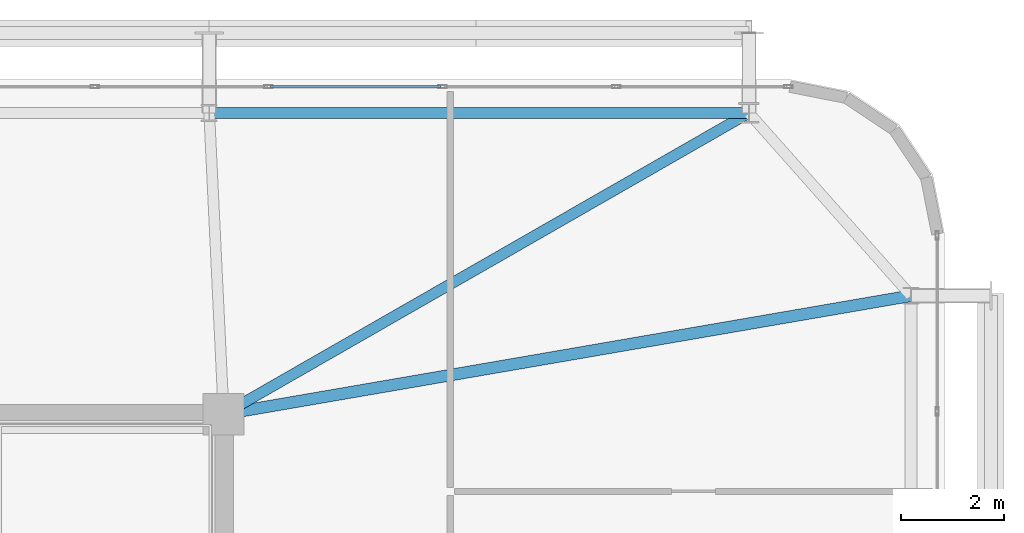
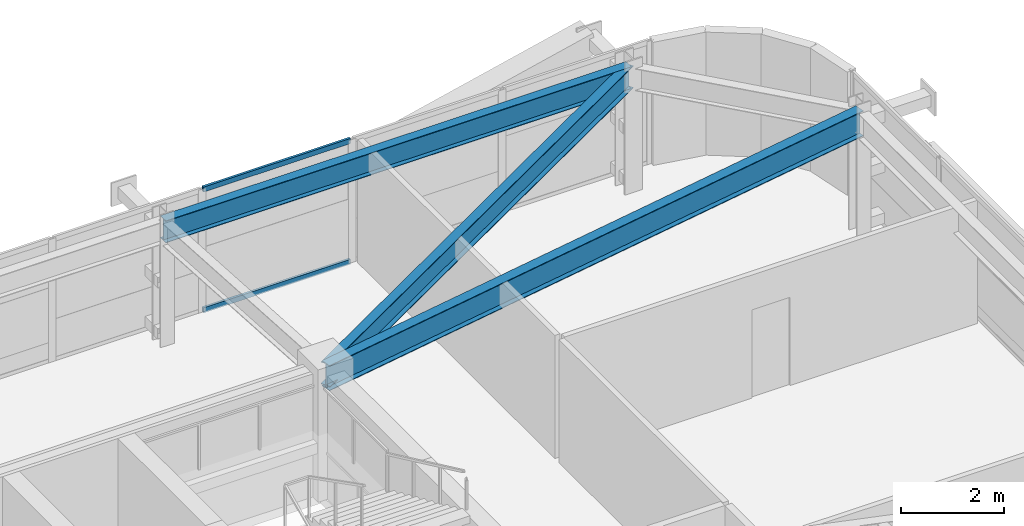
# One storey, part 39 of 58: 3 beams, 2 members, 1 element without a shape of its own.
"""IFC4 building model written with IfcOpenShell, lengths in metres."""

import ifcopenshell
import ifcopenshell.guid

model = None  # the IFC model being written
_history = None  # IfcOwnerHistory: only IFC2X3 demands one
_inside = {}  # id of a spatial element -> (the spatial element, [elements in it])
_under = {}  # id of a project, library or spatial element -> (it, [spatial elements below it])
_declared = {}  # id of a project -> (the project, [libraries it declares])
_typed = {}  # id of a type object -> (the type object, [elements of that type])
_made_of = {}  # id of a material, layer set ... -> (it, [elements and type objects made of it])


def new_model(schema):
    """Start an empty IFC model of exactly this schema.

    Asked for "IFC4X3", IfcOpenShell would pick the latest addendum, in which some entities
    have other attributes; the version numbers below select the first issue.
    IFC2X3 requires an IfcOwnerHistory on every rooted entity: one is made here for all.
    """
    global model, _history
    if schema == "IFC4X3":
        model = ifcopenshell.file(schema_version=(4, 3, 0, 0))
    else:
        model = ifcopenshell.file(schema=schema)
    _inside.clear()
    _under.clear()
    _declared.clear()
    _typed.clear()
    _made_of.clear()
    _history = None
    if model.schema == "IFC2X3":
        org = make("IfcOrganization", Name="unknown")
        user = make(
            "IfcPersonAndOrganization",
            ThePerson=make("IfcPerson", FamilyName="unknown"),
            TheOrganization=org,
        )
        app = make(
            "IfcApplication",
            ApplicationDeveloper=org,
            Version="unknown",
            ApplicationFullName="unknown",
            ApplicationIdentifier="unknown",
        )
        _history = make(
            "IfcOwnerHistory",
            OwningUser=user,
            OwningApplication=app,
            ChangeAction="ADDED",
            CreationDate=0,
        )
    return model


def make(cls, **values):
    """One entity of the class cls with the attributes given. An attribute that is None is left unset."""
    return model.create_entity(
        cls, **{name: value for name, value in values.items() if value is not None}
    )


def rooted(cls, **values):
    """An entity with a GlobalId (a new one), such as an element, a storey or a relation."""
    return make(cls, GlobalId=ifcopenshell.guid.new(), OwnerHistory=_history, **values)


def si_unit(unit_type, name, prefix=None):
    """IfcSIUnit, for example si_unit("LENGTHUNIT", "METRE", prefix="MILLI")."""
    return make("IfcSIUnit", UnitType=unit_type, Prefix=prefix, Name=name)


def assignment(units):
    """IfcUnitAssignment: the units of a project."""
    return None if units is None else make("IfcUnitAssignment", Units=units)


def point(xyz):
    """IfcCartesianPoint."""
    return None if xyz is None else make("IfcCartesianPoint", Coordinates=xyz)


def direction(xyz):
    """IfcDirection."""
    return None if xyz is None else make("IfcDirection", DirectionRatios=xyz)


def frame(location, z_axis=None, x_axis=None):
    """IfcAxis2Placement3D, a coordinate frame: its origin and axes. An axis left out is left unset."""
    return make(
        "IfcAxis2Placement3D",
        Location=point(location),
        Axis=direction(z_axis),
        RefDirection=direction(x_axis),
    )


def frame_2d(location, x_axis=None):
    """IfcAxis2Placement2D, a coordinate frame in the plane: its origin and x axis."""
    return make(
        "IfcAxis2Placement2D", Location=point(location), RefDirection=direction(x_axis)
    )


def origin():
    """The frame at (0, 0, 0) with its axes left unset."""
    return frame((0.0, 0.0, 0.0))


def origin_2d():
    """The frame at (0, 0) in the plane with its x axis left unset."""
    return frame_2d((0.0, 0.0))


def place(relative_to, where):
    """IfcLocalPlacement: puts the frame where relative to a parent placement (None: the world)."""
    return make(
        "IfcLocalPlacement", PlacementRelTo=relative_to, RelativePlacement=where
    )


def context(
    kind, dimensions, precision=None, world=None, true_north=None, identifier=None
):
    """IfcGeometricRepresentationContext, for example the 3D "Model" context."""
    return make(
        "IfcGeometricRepresentationContext",
        ContextIdentifier=identifier,
        ContextType=kind,
        CoordinateSpaceDimension=dimensions,
        Precision=precision,
        WorldCoordinateSystem=world,
        TrueNorth=true_north,
    )


def subcontext(parent, identifier, kind, view, scale=None):
    """IfcGeometricRepresentationSubContext, for example "Body" below "Model"."""
    return make(
        "IfcGeometricRepresentationSubContext",
        ContextIdentifier=identifier,
        ContextType=kind,
        ParentContext=parent,
        TargetScale=scale,
        TargetView=view,
    )


def project(units=None, contexts=None):
    """IfcProject with its units and contexts."""
    return rooted(
        "IfcProject",
        Name="project",
        RepresentationContexts=contexts,
        UnitsInContext=assignment(units),
    )


def spatial(cls, under=None, at=None, **own):
    """A site, building, storey or space (cls), placed at a placement, below another one or the project."""
    s = rooted(cls, ObjectPlacement=at, **own)
    if under is not None:
        _under.setdefault(under.id(), (under, []))[1].append(s)
    return s


def profile(cls, at=None, kind="AREA", **sizes):
    """A parametric profile (cls). Its sizes go by their IFC names, for example OverallWidth=200.0."""
    return make(cls, ProfileType=kind, Position=at, **sizes)


def hollow_rectangle(**sizes):
    """IfcRectangleHollowProfileDef."""
    return profile("IfcRectangleHollowProfileDef", **sizes)


def i_section(**sizes):
    """IfcIShapeProfileDef."""
    return profile("IfcIShapeProfileDef", **sizes)


def extrude(swept, where, along, depth):
    """IfcExtrudedAreaSolid: the profile swept, set in the frame where, extruded along a direction by depth."""
    return make(
        "IfcExtrudedAreaSolid",
        SweptArea=swept,
        Position=where,
        ExtrudedDirection=direction(along),
        Depth=depth,
    )


def shape(context_of_items, identifier, shape_type, items):
    """IfcShapeRepresentation: the items that make up one representation, for example the "Body"."""
    return make(
        "IfcShapeRepresentation",
        ContextOfItems=context_of_items,
        RepresentationIdentifier=identifier,
        RepresentationType=shape_type,
        Items=items,
    )


def source(mapping_origin, context_of_items, identifier, shape_type, items):
    """IfcRepresentationMap: a shape defined once, which mapped items show again and again."""
    return make(
        "IfcRepresentationMap",
        MappingOrigin=mapping_origin,
        MappedRepresentation=shape(context_of_items, identifier, shape_type, items),
    )


def transform(
    local_origin,
    x_axis=None,
    y_axis=None,
    z_axis=None,
    scale=None,
    scale2=None,
    scale3=None,
    uniform=True,
):
    """IfcCartesianTransformationOperator3D, or its non-uniform kind. x_axis, y_axis, z_axis: its Axis1, 2, 3."""
    if uniform:
        return make(
            "IfcCartesianTransformationOperator3D",
            Axis1=direction(x_axis),
            Axis2=direction(y_axis),
            LocalOrigin=point(local_origin),
            Scale=scale,
            Axis3=direction(z_axis),
        )
    return make(
        "IfcCartesianTransformationOperator3DnonUniform",
        Axis1=direction(x_axis),
        Axis2=direction(y_axis),
        LocalOrigin=point(local_origin),
        Scale=scale,
        Axis3=direction(z_axis),
        Scale2=scale2,
        Scale3=scale3,
    )


def mapped(mapping_source, mapping_target):
    """IfcMappedItem: shows the shape of a source again, moved by a transform."""
    return make(
        "IfcMappedItem", MappingSource=mapping_source, MappingTarget=mapping_target
    )


def material(Name=None, Category=None):
    """IfcMaterial."""
    return make("IfcMaterial", Name=Name, Category=Category)


def layer(
    of_material, thickness, ventilated=None, Name=None, Category=None, Priority=None
):
    """IfcMaterialLayer: one layer of a wall or slab, of a material (None: an air gap)."""
    return make(
        "IfcMaterialLayer",
        Material=of_material,
        LayerThickness=thickness,
        IsVentilated=ventilated,
        Name=Name,
        Category=Category,
        Priority=Priority,
    )


def layer_set(layers, Name=None):
    """IfcMaterialLayerSet."""
    return make("IfcMaterialLayerSet", MaterialLayers=layers, LayerSetName=Name)


def material_profile(
    of_material, cross_section, Name=None, Category=None, Priority=None
):
    """IfcMaterialProfile: a cross section and its material."""
    return make(
        "IfcMaterialProfile",
        Name=Name,
        Material=of_material,
        Profile=cross_section,
        Priority=Priority,
        Category=Category,
    )


def profile_set(profiles, Name=None, composite=None):
    """IfcMaterialProfileSet."""
    return make(
        "IfcMaterialProfileSet",
        Name=Name,
        MaterialProfiles=profiles,
        CompositeProfile=composite,
    )


def made_of(thing, what):
    """Note that an element or type object is made of a material, layer set ...; save() writes the relation."""
    if what is not None:
        _made_of.setdefault(what.id(), (what, []))[1].append(thing)
    return thing


def type_object(cls, material=None, **own):
    """A type object (cls), such as IfcWallType, which elements share."""
    return made_of(rooted(cls, **own), material)


def element(
    cls,
    number,
    at=None,
    inside=None,
    cuts=None,
    type_object=None,
    material=None,
    context=None,
    identifier="Body",
    shape_type=None,
    held_by="IfcProductDefinitionShape",
    body=None,
    shapes=None,
    **own,
):
    """One element of the class cls, such as IfcWall. Its Tag is "e" and its number.

    at: its placement. inside: the storey or other place that contains it. cuts: it is an
    opening in that element (IfcRelVoidsElement). A single representation is given by context,
    identifier, shape_type and body (its items); several are given by shapes. held_by: the class
    of the entity that holds the representations. save() writes the other relations.
    """
    e = rooted(cls, Tag="e%d" % number, ObjectPlacement=at, **own)
    if body is not None:
        shapes = [shape(context, identifier, shape_type, body)]
    if shapes is not None:
        e.Representation = make(held_by, Representations=shapes)
    if inside is not None:
        _inside.setdefault(inside.id(), (inside, []))[1].append(e)
    if cuts is not None:
        rooted(
            "IfcRelVoidsElement", RelatingBuildingElement=cuts, RelatedOpeningElement=e
        )
    if type_object is not None:
        _typed.setdefault(type_object.id(), (type_object, []))[1].append(e)
    return made_of(e, material)


def aggregate(whole, parts):
    """IfcRelAggregates: a whole, such as a stair, and the parts it consists of."""
    return rooted("IfcRelAggregates", RelatingObject=whole, RelatedObjects=parts)


def save(model, path):
    """Write the relations noted so far, then the file.

    IfcRelAggregates (storeys below a building ...), IfcRelContainedInSpatialStructure (elements
    in a storey), IfcRelDefinesByType, IfcRelAssociatesMaterial and IfcRelDeclares: one each for
    every whole, place, type object, material and project.
    """
    for whole, parts in _under.values():
        aggregate(whole, parts)
    for where, things in _inside.values():
        rooted(
            "IfcRelContainedInSpatialStructure",
            RelatedElements=things,
            RelatingStructure=where,
        )
    for kind, things in _typed.values():
        rooted("IfcRelDefinesByType", RelatedObjects=things, RelatingType=kind)
    for what, things in _made_of.values():
        rooted("IfcRelAssociatesMaterial", RelatedObjects=things, RelatingMaterial=what)
    for by, libraries in _declared.values():
        rooted("IfcRelDeclares", RelatingContext=by, RelatedDefinitions=libraries)
    model.write(path)


model = new_model("IFC4")

# Units and contexts
model_context = context("Model", 3, precision=1e-05, world=origin(), true_north=direction((0.0, 1.0)))
body_context = subcontext(model_context, "Body", "Model", "MODEL_VIEW")
ifc_project = project(units=[si_unit("LENGTHUNIT", "METRE"), si_unit("AREAUNIT", "SQUARE_METRE"), si_unit("VOLUMEUNIT", "CUBIC_METRE"), si_unit("PLANEANGLEUNIT", "RADIAN"), si_unit("MASSUNIT", "GRAM", prefix="KILO")], contexts=[model_context])

# Site, building, storey
site_placement = place(None, origin())
site = spatial("IfcSite", under=ifc_project, at=site_placement, CompositionType="ELEMENT")
building_placement = place(site_placement, origin())
building = spatial("IfcBuilding", under=site, at=building_placement, Name="Taldren Reach Tower", CompositionType="ELEMENT")
storey_placement = place(building_placement, frame((0.0, 0.0, 35.699951171875)))
storey = spatial("IfcBuildingStorey", under=building, at=storey_placement, Name="L10", CompositionType="ELEMENT", Elevation=35.699951171875)

# Beams
ifc_material_1 = material(Name="Steel Gr 350 (350PLUS)", Category="steel")
ifc_material_profile_1 = material_profile(ifc_material_1, i_section(OverallWidth=0.208984375, OverallDepth=0.528076171875, WebThickness=0.009521484375, FlangeThickness=0.01318359375, at=origin_2d()), Name="530UB82.0")
ifc_profile_set_1 = profile_set([ifc_material_profile_1], Name="Steel Gr 350 (350PLUS)")
beam_type_1 = type_object("IfcBeamType", Name="SP-UB530B", PredefinedType="SPANDREL", material=ifc_profile_set_1)
shared_shape_1 = source(origin(), body_context, "Body", "SweptSolid", [
    extrude(i_section(OverallWidth=0.208984375, OverallDepth=0.528076171875, WebThickness=0.009521484375, FlangeThickness=0.01318359375, at=origin_2d()), origin(), (0.0, 0.0, 1.0), 10.47998046875),
])
beam_1_placement = place(storey_placement, frame((61.199951171875, 37.85009765625, 2.666015625), z_axis=(-1.0, 0.0, 0.0), x_axis=(0.0, -1.0, 0.0)))
element("IfcBeam", 1, at=beam_1_placement, inside=storey, type_object=beam_type_1, Name="Perimeter spandrel B1 N6-N5 L10", PredefinedType="SPANDREL", context=body_context, shape_type="MappedRepresentation", body=[
    mapped(shared_shape_1, transform((0.0, 0.0, 0.0), scale=1.0)),
])
ifc_material_profile_2 = material_profile(ifc_material_1, i_section(OverallWidth=0.22802734375, OverallDepth=0.60205078125, WebThickness=0.010498046875, FlangeThickness=0.014892578125, at=origin_2d()), Name="610UB101")
ifc_profile_set_2 = profile_set([ifc_material_profile_2], Name="Steel Gr 350 (350PLUS)")
beam_type_2 = type_object("IfcBeamType", Name="BM-UB610B", PredefinedType="BEAM", material=ifc_profile_set_2)
shared_shape_2 = source(origin(), body_context, "Body", "SweptSolid", [
    extrude(i_section(OverallWidth=0.22802734375, OverallDepth=0.60205078125, WebThickness=0.010498046875, FlangeThickness=0.014892578125, at=origin_2d()), origin(), (0.0, 0.0, 1.0), 13.546875),
])
beam_2_placement = place(storey_placement, frame((51.0, 32.0, 2.629150390625), z_axis=(0.985481022998, 0.169785609847, 0.0), x_axis=(-0.169785609847, 0.985481022998, 0.0)))
element("IfcBeam", 2, at=beam_2_placement, inside=storey, type_object=beam_type_2, Name="Primary floor girder B1-E3 L10", PredefinedType="BEAM", context=body_context, shape_type="MappedRepresentation", body=[
    mapped(shared_shape_2, transform((0.0, 0.0, 0.0), scale=1.0)),
])
ifc_material_profile_3 = material_profile(ifc_material_1, i_section(OverallWidth=0.208984375, OverallDepth=0.532958984375, WebThickness=0.01025390625, FlangeThickness=0.015625, at=origin_2d()), Name="530UB92.4")
ifc_profile_set_3 = profile_set([ifc_material_profile_3], Name="Steel Gr 350 (350PLUS)")
beam_type_3 = type_object("IfcBeamType", Name="BM-UB530A", PredefinedType="BEAM", material=ifc_profile_set_3)
shared_shape_3 = source(origin(), body_context, "Body", "SweptSolid", [
    extrude(i_section(OverallWidth=0.208984375, OverallDepth=0.532958984375, WebThickness=0.01025390625, FlangeThickness=0.015625, at=origin_2d()), origin(), (0.0, 0.0, 1.0), 11.758544921875),
])
beam_3_placement = place(storey_placement, frame((51.0, 32.0, 2.66357421875), z_axis=(0.867452414141, 0.497520159593, 0.0), x_axis=(-0.497520159593, 0.867452414141, 0.0)))
element("IfcBeam", 3, at=beam_3_placement, inside=storey, type_object=beam_type_3, Name="Primary floor girder B1-N6 L10", PredefinedType="BEAM", context=body_context, shape_type="MappedRepresentation", body=[
    mapped(shared_shape_3, transform((0.0, 0.0, 0.0), scale=1.0)),
])

# Curtain wall, members
ifc_material_2 = material(Name="Aluminium and Low-E Glass Unitised System", Category="aluminium")
ifc_layer = layer(ifc_material_2, 0.159912109375)
ifc_layer_set = layer_set([ifc_layer], Name="Aluminium and Low-E Glass Unitised System")
curtain_wall_type = type_object("IfcCurtainWallType", Name="CW-SYS-2", PredefinedType="NOTDEFINED", material=ifc_layer_set)
curtain_wall_placement = place(storey_placement, origin())
curtain_wall = element("IfcCurtainWall", 4, at=curtain_wall_placement, inside=storey, type_object=curtain_wall_type, Name="Unitised curtain wall CW-L10-N", PredefinedType="NOTDEFINED")
ifc_material_3 = material(Name="Anodised Aluminium 6063-T6", Category="aluminium")
ifc_material_profile_4 = material_profile(ifc_material_3, hollow_rectangle(XDim=0.054931640625, YDim=0.1201171875, WallThickness=0.0029296875, at=origin_2d()), Name="ALU-120x55x3RHS")
ifc_profile_set_4 = profile_set([ifc_material_profile_4], Name="Anodised Aluminium 6063-T6")
member_type = type_object("IfcMemberType", Name="CW-TRN-135", PredefinedType="USERDEFINED", material=ifc_profile_set_4)
shared_shape_4 = source(origin(), body_context, "Body", "SweptSolid", [
    extrude(hollow_rectangle(XDim=0.054931640625, YDim=0.1201171875, WallThickness=0.0029296875, at=origin_2d()), origin(), (0.0, 0.0, 1.0), 3.31005859375),
])
member_1_placement = place(storey_placement, frame((55.217529296875, 38.360107421875, 0.027587890625), z_axis=(-1.0, 0.0, 0.0), x_axis=(0.0, -1.0, 0.0)))
member_1 = element("IfcMember", 5, at=member_1_placement, type_object=member_type, Name="CW-2 transom 3.1", ObjectType="TRANSOM", PredefinedType="USERDEFINED", context=body_context, shape_type="MappedRepresentation", body=[
    mapped(shared_shape_4, transform((0.0, 0.0, 0.0), scale=1.0)),
])
member_2_placement = place(storey_placement, frame((55.217529296875, 38.360107421875, 2.902587890625), z_axis=(-1.0, 0.0, 0.0), x_axis=(0.0, -1.0, 0.0)))
member_2 = element("IfcMember", 6, at=member_2_placement, type_object=member_type, Name="CW-2 transom 3.2", ObjectType="TRANSOM", PredefinedType="USERDEFINED", context=body_context, shape_type="MappedRepresentation", body=[
    mapped(shared_shape_4, transform((0.0, 0.0, 0.0), scale=1.0)),
])
aggregate(curtain_wall, [member_1, member_2])

save(model, "model.ifc")
